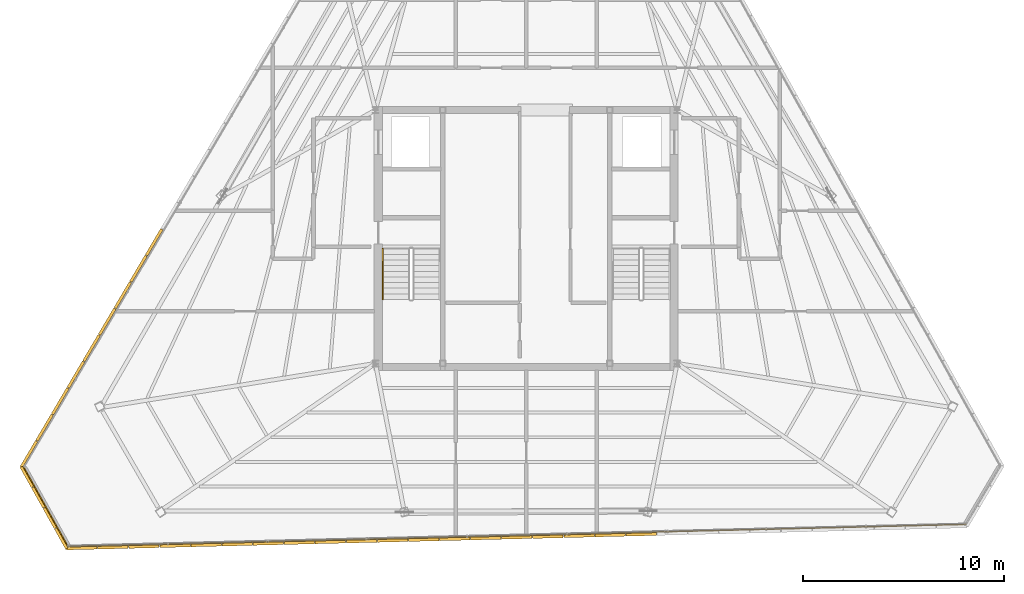
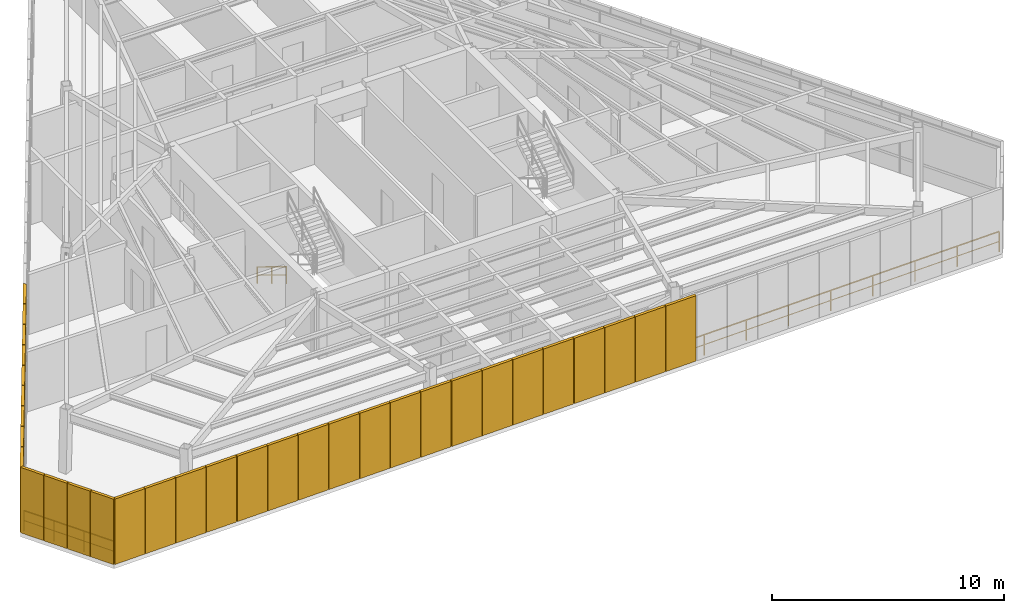
# One storey, part 42 of 44: 32 shading devices, 3 railings.
"""IFC4 building model written with IfcOpenShell, lengths in metres."""

from ifc_helpers import new_model, si_unit, direction, frame, origin, origin_2d, place, context, subcontext, project, spatial, rectangle, extrude, source, transform, mapped, material, layer, layer_set, type_object, type_shapes, element, save


model = new_model("IFC4")

# Units and contexts
model_context = context("Model", 3, precision=1e-05, world=origin(), true_north=direction((0.0, 1.0)))
body_context = subcontext(model_context, "Body", "Model", "MODEL_VIEW")
ifc_project = project(units=[si_unit("LENGTHUNIT", "METRE"), si_unit("AREAUNIT", "SQUARE_METRE"), si_unit("VOLUMEUNIT", "CUBIC_METRE"), si_unit("PLANEANGLEUNIT", "RADIAN"), si_unit("MASSUNIT", "GRAM", prefix="KILO")], contexts=[model_context])

# Site, building, storey
site_placement = place(None, origin())
site = spatial("IfcSite", under=ifc_project, at=site_placement, CompositionType="ELEMENT")
building_placement = place(site_placement, origin())
building = spatial("IfcBuilding", under=site, at=building_placement, Name="Caelisora Broadcast Tower", CompositionType="ELEMENT")
storey_placement = place(building_placement, frame((0.0, 0.0, 289.800048828125)))
storey = spatial("IfcBuildingStorey", under=building, at=storey_placement, Name="L76", CompositionType="ELEMENT", Elevation=289.800048828125)

# Railings
ifc_material_1 = material(Name="Galvanised Steel Safety Guardrail", Category="steel")
ifc_layer_1 = layer(ifc_material_1, 0.048095703125, Name="Galvanised Steel Safety Guardrail")
ifc_layer_set_1 = layer_set([ifc_layer_1], Name="Galvanised Steel Safety Guardrail")
railing_type_1 = type_object("IfcRailingType", Name="GR-1", PredefinedType="GUARDRAIL", material=ifc_layer_set_1)
railing_1_placement = place(storey_placement, frame((59.865966796875, 9.39208984375, 0.0)))
element("IfcRailing", 1, at=railing_1_placement, inside=storey, type_object=railing_type_1, Name="L76 balustrade GR-1 #03", PredefinedType="GUARDRAIL", context=body_context, shape_type="SweptSolid", body=[
    extrude(rectangle(XDim=0.048095703125, YDim=0.048095703125, at=origin_2d()), frame((0.0, 0.0, 1.076171875), z_axis=(-0.999699543573, -0.024511682509, 0.0), x_axis=(0.024511682509, -0.999699543573, 0.0)), (0.0, 0.0, 1.0), 44.67138671875),
    extrude(rectangle(XDim=0.03125, YDim=0.03125, at=origin_2d()), frame((0.0, 0.0, 0.550048828125), z_axis=(-0.999699543573, -0.024511682509, 0.0), x_axis=(0.024511682509, -0.999699543573, 0.0)), (0.0, 0.0, 1.0), 44.67138671875),
    extrude(rectangle(XDim=0.0419921875, YDim=0.0419921875, at=origin_2d()), origin(), (0.0, 0.0, 1.0), 1.052001953125),
    extrude(rectangle(XDim=0.0419921875, YDim=0.0419921875, at=origin_2d()), frame((-2.12646484375, -0.05224609375, 0.0)), (0.0, 0.0, 1.0), 1.052001953125),
    extrude(rectangle(XDim=0.0419921875, YDim=0.0419921875, at=origin_2d()), frame((-4.253173828125, -0.104248046875, 0.0)), (0.0, 0.0, 1.0), 1.052001953125),
    extrude(rectangle(XDim=0.0419921875, YDim=0.0419921875, at=origin_2d()), frame((-6.379638671875, -0.156494140625, 0.0)), (0.0, 0.0, 1.0), 1.052001953125),
    extrude(rectangle(XDim=0.0419921875, YDim=0.0419921875, at=origin_2d()), frame((-8.50634765625, -0.20849609375, 0.0)), (0.0, 0.0, 1.0), 1.052001953125),
    extrude(rectangle(XDim=0.0419921875, YDim=0.0419921875, at=origin_2d()), frame((-10.6328125, -0.2607421875, 0.0)), (0.0, 0.0, 1.0), 1.052001953125),
    extrude(rectangle(XDim=0.0419921875, YDim=0.0419921875, at=origin_2d()), frame((-12.759521484375, -0.312744140625, 0.0)), (0.0, 0.0, 1.0), 1.052001953125),
    extrude(rectangle(XDim=0.0419921875, YDim=0.0419921875, at=origin_2d()), frame((-14.885986328125, -0.364990234375, 0.0)), (0.0, 0.0, 1.0), 1.052001953125),
    extrude(rectangle(XDim=0.0419921875, YDim=0.0419921875, at=origin_2d()), frame((-17.012451171875, -0.417236328125, 0.0)), (0.0, 0.0, 1.0), 1.052001953125),
    extrude(rectangle(XDim=0.0419921875, YDim=0.0419921875, at=origin_2d()), frame((-19.13916015625, -0.46923828125, 0.0)), (0.0, 0.0, 1.0), 1.052001953125),
    extrude(rectangle(XDim=0.0419921875, YDim=0.0419921875, at=origin_2d()), frame((-21.265625, -0.521484375, 0.0)), (0.0, 0.0, 1.0), 1.052001953125),
    extrude(rectangle(XDim=0.0419921875, YDim=0.0419921875, at=origin_2d()), frame((-23.392333984375, -0.573486328125, 0.0)), (0.0, 0.0, 1.0), 1.052001953125),
    extrude(rectangle(XDim=0.0419921875, YDim=0.0419921875, at=origin_2d()), frame((-25.518798828125, -0.625732421875, 0.0)), (0.0, 0.0, 1.0), 1.052001953125),
    extrude(rectangle(XDim=0.0419921875, YDim=0.0419921875, at=origin_2d()), frame((-27.6455078125, -0.677734375, 0.0)), (0.0, 0.0, 1.0), 1.052001953125),
    extrude(rectangle(XDim=0.0419921875, YDim=0.0419921875, at=origin_2d()), frame((-29.77197265625, -0.72998046875, 0.0)), (0.0, 0.0, 1.0), 1.052001953125),
    extrude(rectangle(XDim=0.0419921875, YDim=0.0419921875, at=origin_2d()), frame((-31.8984375, -0.7822265625, 0.0)), (0.0, 0.0, 1.0), 1.052001953125),
    extrude(rectangle(XDim=0.0419921875, YDim=0.0419921875, at=origin_2d()), frame((-34.025146484375, -0.834228515625, 0.0)), (0.0, 0.0, 1.0), 1.052001953125),
    extrude(rectangle(XDim=0.0419921875, YDim=0.0419921875, at=origin_2d()), frame((-36.151611328125, -0.886474609375, 0.0)), (0.0, 0.0, 1.0), 1.052001953125),
    extrude(rectangle(XDim=0.0419921875, YDim=0.0419921875, at=origin_2d()), frame((-38.2783203125, -0.9384765625, 0.0)), (0.0, 0.0, 1.0), 1.052001953125),
    extrude(rectangle(XDim=0.0419921875, YDim=0.0419921875, at=origin_2d()), frame((-40.40478515625, -0.99072265625, 0.0)), (0.0, 0.0, 1.0), 1.052001953125),
    extrude(rectangle(XDim=0.0419921875, YDim=0.0419921875, at=origin_2d()), frame((-42.531494140625, -1.042724609375, 0.0)), (0.0, 0.0, 1.0), 1.052001953125),
    extrude(rectangle(XDim=0.0419921875, YDim=0.0419921875, at=origin_2d()), frame((-44.657958984375, -1.094970703125, 0.0)), (0.0, 0.0, 1.0), 1.052001953125),
])
railing_2_placement = place(storey_placement, frame((15.2080078125, 8.297119140625, 0.0)))
element("IfcRailing", 2, at=railing_2_placement, inside=storey, type_object=railing_type_1, Name="L76 balustrade GR-1 #04", PredefinedType="GUARDRAIL", context=body_context, shape_type="SweptSolid", body=[
    extrude(rectangle(XDim=0.048095703125, YDim=0.048095703125, at=origin_2d()), frame((0.0, 0.0, 1.076171875), z_axis=(-0.487442714646, 0.873154969028, 0.0), x_axis=(-0.873154969028, -0.487442714646, 0.0)), (0.0, 0.0, 1.0), 4.523681640625),
    extrude(rectangle(XDim=0.03125, YDim=0.03125, at=origin_2d()), frame((0.0, 0.0, 0.550048828125), z_axis=(-0.487442714646, 0.873154969028, 0.0), x_axis=(-0.873154969028, -0.487442714646, 0.0)), (0.0, 0.0, 1.0), 4.523681640625),
    extrude(rectangle(XDim=0.0419921875, YDim=0.0419921875, at=origin_2d()), origin(), (0.0, 0.0, 1.0), 1.052001953125),
    extrude(rectangle(XDim=0.0419921875, YDim=0.0419921875, at=origin_2d()), frame((-0.735107421875, 1.316650390625, 0.0)), (0.0, 0.0, 1.0), 1.052001953125),
    extrude(rectangle(XDim=0.0419921875, YDim=0.0419921875, at=origin_2d()), frame((-1.469970703125, 2.63330078125, 0.0)), (0.0, 0.0, 1.0), 1.052001953125),
    extrude(rectangle(XDim=0.0419921875, YDim=0.0419921875, at=origin_2d()), frame((-2.205078125, 3.949951171875, 0.0)), (0.0, 0.0, 1.0), 1.052001953125),
])
ifc_material_2 = material(Name="Stainless Steel Grade 316 Tubular Handrail", Category="steel")
ifc_layer_2 = layer(ifc_material_2, 0.048095703125, Name="Stainless Steel Grade 316 Tubular Handrail")
ifc_layer_set_2 = layer_set([ifc_layer_2], Name="Stainless Steel Grade 316 Tubular Handrail")
railing_type_2 = type_object("IfcRailingType", Name="HR-1", PredefinedType="HANDRAIL", material=ifc_layer_set_2)
railing_3_placement = place(storey_placement, frame((30.8701171875, 23.10009765625, 0.169921875)))
element("IfcRailing", 3, at=railing_3_placement, inside=storey, type_object=railing_type_2, Name="L76 ST-1 stair handrail 1", PredefinedType="HANDRAIL", context=body_context, shape_type="SweptSolid", body=[
    extrude(rectangle(XDim=0.048095703125, YDim=0.048095703125, at=origin_2d()), frame((0.0, 0.0, 0.8759765625), z_axis=(0.0, -0.85478489116, 0.518982456201), x_axis=(1.0, 0.0, 0.0)), (0.0, 0.0, 1.0), 2.9482421875),
    extrude(rectangle(XDim=0.03125, YDim=0.03125, at=origin_2d()), frame((0.0, 0.0, 0.449951171875), z_axis=(0.0, -0.85478489116, 0.518982456201), x_axis=(1.0, 0.0, 0.0)), (0.0, 0.0, 1.0), 2.9482421875),
    extrude(rectangle(XDim=0.0419921875, YDim=0.0419921875, at=origin_2d()), origin(), (0.0, 0.0, 1.0), 0.851806640625),
    extrude(rectangle(XDim=0.0419921875, YDim=0.0419921875, at=origin_2d()), frame((0.0, -1.260009765625, 0.76513671875)), (0.0, 0.0, 1.0), 0.851806640625),
    extrude(rectangle(XDim=0.0419921875, YDim=0.0419921875, at=origin_2d()), frame((0.0, -2.52001953125, 1.530029296875)), (0.0, 0.0, 1.0), 0.851806640625),
])

# Shading devices
ifc_material_3 = material(Name="Anodised Terracotta Aluminium Acoustic Louvre", Category="aluminium")
ifc_layer_3 = layer(ifc_material_3, 0.139892578125, Name="Anodised Terracotta Aluminium Acoustic Louvre")
ifc_layer_set_3 = layer_set([ifc_layer_3], Name="Anodised Terracotta Aluminium Acoustic Louvre")
shading_device_type = type_object("IfcShadingDeviceType", Name="LV-1", PredefinedType="JALOUSIE", material=ifc_layer_set_3)
shared_shape_1 = source(origin(), body_context, "Body", "SweptSolid", [
    extrude(rectangle(XDim=1.50048828125, YDim=0.139892578125, at=origin_2d()), origin(), (0.0, 0.0, 1.0), 3.43994140625),
])
for number, where, z_axis, x_axis, name in (
    (4, (19.495361328125, 23.4296875, -0.02001953125), (0.0, 0.0, 1.0), (-0.508740929096, -0.860919663536, 0.0), "L76 crown acoustic louvre #025"),
    (5, (18.716796875, 22.11181640625, -0.02001953125), (0.0, 0.0, 1.0), (-0.508740929096, -0.860919663536, 0.0), "L76 crown acoustic louvre #026"),
    (6, (17.93798828125, 20.794189453125, -0.02001953125), (0.0, 0.0, 1.0), (-0.508740929096, -0.860919663536, 0.0), "L76 crown acoustic louvre #027"),
    (7, (17.1591796875, 19.476318359375, -0.02001953125), (0.0, 0.0, 1.0), (-0.508740929096, -0.860919663536, 0.0), "L76 crown acoustic louvre #028"),
    (8, (16.380615234375, 18.15869140625, -0.02001953125), (0.0, 0.0, 1.0), (-0.508740929096, -0.860919663536, 0.0), "L76 crown acoustic louvre #029"),
    (9, (15.601806640625, 16.8408203125, -0.02001953125), (0.0, 0.0, 1.0), (-0.508740929096, -0.860919663536, 0.0), "L76 crown acoustic louvre #030"),
    (10, (14.8232421875, 15.523193359375, -0.02001953125), (0.0, 0.0, 1.0), (-0.508740929096, -0.860919663536, 0.0), "L76 crown acoustic louvre #031"),
    (11, (14.04443359375, 14.205322265625, -0.02001953125), (0.0, 0.0, 1.0), (-0.508740929096, -0.860919663536, 0.0), "L76 crown acoustic louvre #032"),
    (12, (13.265869140625, 12.887451171875, -0.02001953125), (0.0, 0.0, 1.0), (-0.508740929096, -0.860919663536, 0.0), "L76 crown acoustic louvre #033"),
):
    element("IfcShadingDevice", number, at=place(storey_placement, frame(where, z_axis=z_axis, x_axis=x_axis)), inside=storey, type_object=shading_device_type, Name=name, PredefinedType="JALOUSIE", context=body_context, shape_type="MappedRepresentation", body=[
        mapped(shared_shape_1, transform((0.0, 0.0, 0.0), scale=1.0)),
    ])
shared_shape_2 = source(origin(), body_context, "Body", "SweptSolid", [
    extrude(rectangle(XDim=1.14208984375, YDim=0.139892578125, at=origin_2d()), origin(), (0.0, 0.0, 1.0), 3.43994140625),
])
for number, where, z_axis, x_axis, name in (
    (13, (13.16259765625, 11.756591796875, -0.02001953125), (0.0, 0.0, 1.0), (0.487402531354, -0.87317740032, 0.0), "L76 crown acoustic louvre #034"),
    (14, (13.73388671875, 10.733154296875, -0.02001953125), (0.0, 0.0, 1.0), (0.487402531354, -0.87317740032, 0.0), "L76 crown acoustic louvre #035"),
    (15, (14.30517578125, 9.709716796875, -0.02001953125), (0.0, 0.0, 1.0), (0.487402531354, -0.87317740032, 0.0), "L76 crown acoustic louvre #036"),
    (16, (14.876220703125, 8.686279296875, -0.02001953125), (0.0, 0.0, 1.0), (0.487402531354, -0.87317740032, 0.0), "L76 crown acoustic louvre #037"),
):
    element("IfcShadingDevice", number, at=place(storey_placement, frame(where, z_axis=z_axis, x_axis=x_axis)), inside=storey, type_object=shading_device_type, Name=name, PredefinedType="JALOUSIE", context=body_context, shape_type="MappedRepresentation", body=[
        mapped(shared_shape_2, transform((0.0, 0.0, 0.0), scale=1.0)),
    ])
shared_shape_3 = source(origin(), body_context, "Body", "SweptSolid", [
    extrude(rectangle(XDim=1.51611328125, YDim=0.139892578125, at=origin_2d()), origin(), (0.0, 0.0, 1.0), 3.43994140625),
])
type_shapes(shading_device_type, [shared_shape_1, shared_shape_2, shared_shape_3])
for number, where, z_axis, x_axis, name in (
    (17, (15.898681640625, 8.2138671875, -0.02001953125), (0.0, 0.0, 1.0), (0.999701489781, 0.024432178153, 0.0), "L76 crown acoustic louvre #038"),
    (18, (17.4443359375, 8.251708984375, -0.02001953125), (0.0, 0.0, 1.0), (0.999701489781, 0.024432178153, 0.0), "L76 crown acoustic louvre #039"),
    (19, (18.98974609375, 8.289794921875, -0.02001953125), (0.0, 0.0, 1.0), (0.999701489781, 0.024432178153, 0.0), "L76 crown acoustic louvre #040"),
    (20, (20.535400390625, 8.32763671875, -0.02001953125), (0.0, 0.0, 1.0), (0.999701489781, 0.024432178153, 0.0), "L76 crown acoustic louvre #041"),
    (21, (22.080810546875, 8.365478515625, -0.02001953125), (0.0, 0.0, 1.0), (0.999701489781, 0.024432178153, 0.0), "L76 crown acoustic louvre #042"),
    (22, (23.62646484375, 8.4033203125, -0.02001953125), (0.0, 0.0, 1.0), (0.999701489781, 0.024432178153, 0.0), "L76 crown acoustic louvre #043"),
    (23, (25.171875, 8.44140625, -0.02001953125), (0.0, 0.0, 1.0), (0.999701489781, 0.024432178153, 0.0), "L76 crown acoustic louvre #044"),
    (24, (26.71728515625, 8.479248046875, -0.02001953125), (0.0, 0.0, 1.0), (0.999701489781, 0.024432178153, 0.0), "L76 crown acoustic louvre #045"),
    (25, (28.262939453125, 8.51708984375, -0.02001953125), (0.0, 0.0, 1.0), (0.999701489781, 0.024432178153, 0.0), "L76 crown acoustic louvre #046"),
    (26, (29.808349609375, 8.554931640625, -0.02001953125), (0.0, 0.0, 1.0), (0.999701489781, 0.024432178153, 0.0), "L76 crown acoustic louvre #047"),
    (27, (31.35400390625, 8.593017578125, -0.02001953125), (0.0, 0.0, 1.0), (0.999701489781, 0.024432178153, 0.0), "L76 crown acoustic louvre #048"),
    (28, (32.8994140625, 8.630859375, -0.02001953125), (0.0, 0.0, 1.0), (0.999701489781, 0.024432178153, 0.0), "L76 crown acoustic louvre #049"),
    (29, (34.445068359375, 8.668701171875, -0.02001953125), (0.0, 0.0, 1.0), (0.999701489781, 0.024432178153, 0.0), "L76 crown acoustic louvre #050"),
    (30, (35.990478515625, 8.70654296875, -0.02001953125), (0.0, 0.0, 1.0), (0.999701489781, 0.024432178153, 0.0), "L76 crown acoustic louvre #051"),
    (31, (37.535888671875, 8.744384765625, -0.02001953125), (0.0, 0.0, 1.0), (0.999701489781, 0.024432178153, 0.0), "L76 crown acoustic louvre #052"),
    (32, (39.08154296875, 8.782470703125, -0.02001953125), (0.0, 0.0, 1.0), (0.999701489781, 0.024432178153, 0.0), "L76 crown acoustic louvre #053"),
    (33, (40.627197265625, 8.8203125, -0.02001953125), (0.0, 0.0, 1.0), (0.999701489781, 0.024432178153, 0.0), "L76 crown acoustic louvre #054"),
    (34, (42.172607421875, 8.858154296875, -0.02001953125), (0.0, 0.0, 1.0), (0.999701489781, 0.024432178153, 0.0), "L76 crown acoustic louvre #055"),
    (35, (43.718017578125, 8.89599609375, -0.02001953125), (0.0, 0.0, 1.0), (0.999701489781, 0.024432178153, 0.0), "L76 crown acoustic louvre #056"),
):
    element("IfcShadingDevice", number, at=place(storey_placement, frame(where, z_axis=z_axis, x_axis=x_axis)), inside=storey, type_object=shading_device_type, Name=name, PredefinedType="JALOUSIE", context=body_context, shape_type="MappedRepresentation", body=[
        mapped(shared_shape_3, transform((0.0, 0.0, 0.0), scale=1.0)),
    ])

save(model, "model.ifc")
